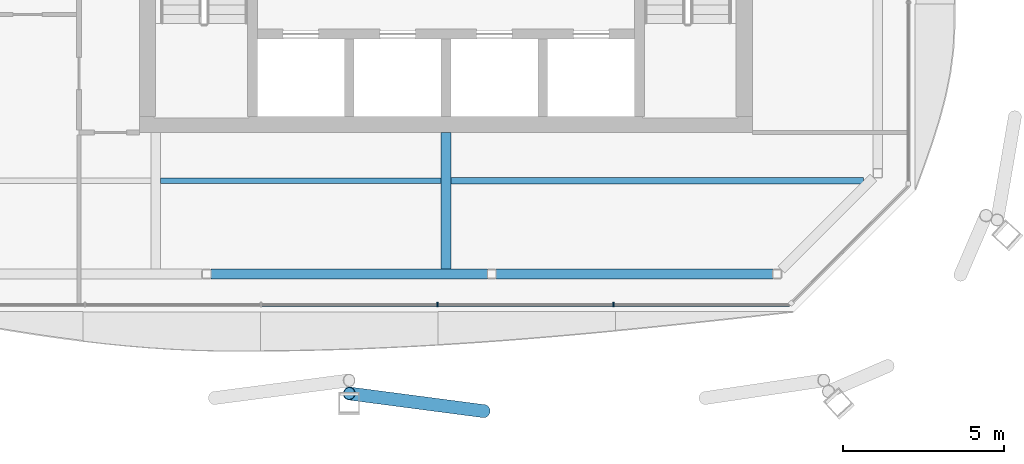
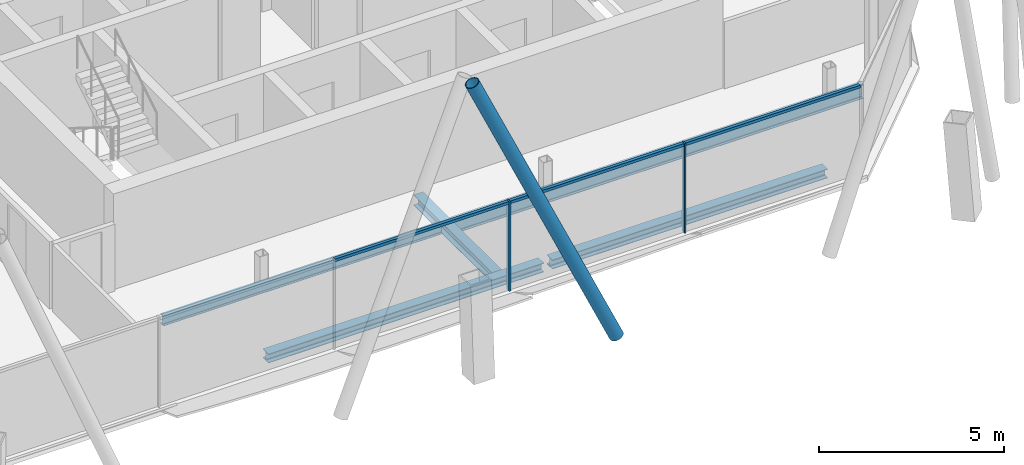
# One storey, part 4 of 16: 6 members, 5 beams, 1 element without a shape of its own.
"""IFC4 building model written with IfcOpenShell, lengths in metres."""

from ifc_helpers import new_model, si_unit, direction, frame, origin, origin_2d, place, context, subcontext, project, spatial, rectangle, hollow_circle, i_section, extrude, material, material_profile, profile_set, type_object, element, aggregate, save


model = new_model("IFC4")

# Units and contexts
model_context = context("Model", 3, precision=1e-05, world=origin(), true_north=direction((0.0, 1.0)))
body_context = subcontext(model_context, "Body", "Model", "MODEL_VIEW")
ifc_project = project(units=[si_unit("LENGTHUNIT", "METRE"), si_unit("AREAUNIT", "SQUARE_METRE"), si_unit("VOLUMEUNIT", "CUBIC_METRE"), si_unit("PLANEANGLEUNIT", "RADIAN"), si_unit("MASSUNIT", "GRAM", prefix="KILO")], contexts=[model_context])

# Site, building, storey
site_placement = place(None, origin())
site = spatial("IfcSite", under=ifc_project, at=site_placement, CompositionType="ELEMENT")
building_placement = place(site_placement, origin())
building = spatial("IfcBuilding", under=site, at=building_placement, Name="Tskaro Facet Tower", CompositionType="ELEMENT")
storey_placement = place(building_placement, frame((0.0, 0.0, 245.550048828125)))
storey = spatial("IfcBuildingStorey", under=building, at=storey_placement, Name="L64", CompositionType="ELEMENT", Elevation=245.550048828125)

# Member
ifc_material_1 = material(Name="Steel S355J2H", Category="steel")
ifc_material_profile_1 = material_profile(ifc_material_1, hollow_circle(Radius=0.203125, WallThickness=0.02001953125, at=origin_2d()), Name="CHS 406.4x20")
ifc_profile_set_1 = profile_set([ifc_material_profile_1], Name="Steel S355J2H")
member_type_1 = type_object("IfcMemberType", Name="CHS 406.4x20 brace", PredefinedType="BRACE", material=ifc_profile_set_1)
member_1_placement = place(storey_placement, frame((1.179931640625, -20.644287109375, 0.0), z_axis=(-0.403949934289, 0.052968144529, 0.913246311929), x_axis=(-0.130012570292, -0.991512345645, 0.0)))
element("IfcMember", 1, at=member_1_placement, inside=storey, type_object=member_type_1, Name="CHS 406.4x20 XB02B/5", PredefinedType="BRACE", context=body_context, shape_type="SweptSolid", body=[
    extrude(hollow_circle(Radius=0.203125, WallThickness=0.02001953125, at=origin_2d()), origin(), (0.0, 0.0, 1.0), 10.34765625),
])

# Curtain wall, members
ifc_material_2 = material(Name="Bronze anodised aluminium 6063-T6", Category="aluminium")
curtain_wall_type = type_object("IfcCurtainWallType", Name="Bronze residence curtain wall (FW3)", PredefinedType="NOTDEFINED", material=ifc_material_2)
curtain_wall_placement = place(storey_placement, origin())
curtain_wall = element("IfcCurtainWall", 2, at=curtain_wall_placement, inside=storey, type_object=curtain_wall_type, Name="FW3 south facet L64", PredefinedType="NOTDEFINED")
ifc_material_profile_2 = material_profile(ifc_material_2, rectangle(XDim=0.050048828125, YDim=0.139892578125, at=origin_2d()), Name="Mullion 50x140")
ifc_profile_set_2 = profile_set([ifc_material_profile_2], Name="Bronze anodised aluminium 6063-T6")
member_type_2 = type_object("IfcMemberType", Name="FW3 bronze mullion 50x140", PredefinedType="MULLION", material=ifc_profile_set_2)
member_2_placement = place(storey_placement, frame((-0.267822265625, -17.341064453125, 0.0), z_axis=(0.0, 0.0, 1.0), x_axis=(1.0, 0.0, 0.0)))
member_2 = element("IfcMember", 3, at=member_2_placement, type_object=member_type_2, Name="FW3 south mullion 3", PredefinedType="MULLION", context=body_context, shape_type="SweptSolid", body=[
    extrude(rectangle(XDim=0.050048828125, YDim=0.139892578125, at=origin_2d()), origin(), (0.0, 0.0, 1.0), 2.949951171875),
])
member_3_placement = place(storey_placement, frame((5.196533203125, -17.341064453125, 0.0), z_axis=(0.0, 0.0, 1.0), x_axis=(1.0, 0.0, 0.0)))
member_3 = element("IfcMember", 4, at=member_3_placement, type_object=member_type_2, Name="FW3 south mullion 4", PredefinedType="MULLION", context=body_context, shape_type="SweptSolid", body=[
    extrude(rectangle(XDim=0.050048828125, YDim=0.139892578125, at=origin_2d()), origin(), (0.0, 0.0, 1.0), 2.949951171875),
])
ifc_material_profile_3 = material_profile(ifc_material_2, rectangle(XDim=0.10009765625, YDim=0.090087890625, at=origin_2d()), Name="Transom 100x90")
ifc_profile_set_3 = profile_set([ifc_material_profile_3], Name="Bronze anodised aluminium 6063-T6")
member_type_3 = type_object("IfcMemberType", Name="FW3 bronze transom 100x90", PredefinedType="USERDEFINED", material=ifc_profile_set_3)
member_4_placement = place(storey_placement, frame((-5.707275390625, -17.341064453125, 2.905029296875), z_axis=(1.0, 0.0, 0.0), x_axis=(0.0, 1.0, 0.0)))
member_4 = element("IfcMember", 5, at=member_4_placement, type_object=member_type_3, Name="FW3 south transom 3.1", ObjectType="TRANSOM", PredefinedType="USERDEFINED", context=body_context, shape_type="SweptSolid", body=[
    extrude(rectangle(XDim=0.10009765625, YDim=0.090087890625, at=origin_2d()), origin(), (0.0, 0.0, 1.0), 5.41455078125),
])
member_5_placement = place(storey_placement, frame((-0.242919921875, -17.341064453125, 2.905029296875), z_axis=(1.0, 0.0, 0.0), x_axis=(0.0, 1.0, 0.0)))
member_5 = element("IfcMember", 6, at=member_5_placement, type_object=member_type_3, Name="FW3 south transom 4.1", ObjectType="TRANSOM", PredefinedType="USERDEFINED", context=body_context, shape_type="SweptSolid", body=[
    extrude(rectangle(XDim=0.10009765625, YDim=0.090087890625, at=origin_2d()), origin(), (0.0, 0.0, 1.0), 5.41455078125),
])
member_6_placement = place(storey_placement, frame((5.2216796875, -17.341064453125, 2.905029296875), z_axis=(1.0, 0.0, 0.0), x_axis=(0.0, 1.0, 0.0)))
member_6 = element("IfcMember", 7, at=member_6_placement, type_object=member_type_3, Name="FW3 south transom 5.1", ObjectType="TRANSOM", PredefinedType="USERDEFINED", context=body_context, shape_type="SweptSolid", body=[
    extrude(rectangle(XDim=0.10009765625, YDim=0.090087890625, at=origin_2d()), origin(), (0.0, 0.0, 1.0), 5.439208984375),
])
aggregate(curtain_wall, [member_2, member_3, member_4, member_5, member_6])

# Beams
ifc_material_3 = material(Name="Steel S355J2", Category="steel")
ifc_material_profile_4 = material_profile(ifc_material_3, i_section(OverallWidth=0.300048828125, OverallDepth=0.300048828125, WebThickness=0.010986328125, FlangeThickness=0.01904296875, FilletRadius=0.027099609375, at=origin_2d()), Name="HE 300 B")
ifc_profile_set_4 = profile_set([ifc_material_profile_4], Name="Steel S355J2")
beam_type_1 = type_object("IfcBeamType", Name="HE 300 B ring beam", PredefinedType="BEAM", material=ifc_profile_set_4)
beam_1_placement = place(storey_placement, frame((-7.29296875, -16.39111328125, -0.2900390625), z_axis=(1.0, 0.0, 0.0), x_axis=(0.0, 1.0, 0.0)))
element("IfcBeam", 8, at=beam_1_placement, inside=storey, type_object=beam_type_1, Name="HE 300 B EB2-5", PredefinedType="BEAM", context=body_context, shape_type="SweptSolid", body=[
    extrude(i_section(OverallWidth=0.300048828125, OverallDepth=0.300048828125, WebThickness=0.010986328125, FlangeThickness=0.01904296875, FilletRadius=0.027099609375, at=origin_2d()), origin(), (0.0, 0.0, 1.0), 8.5859375),
])
beam_2_placement = place(storey_placement, frame((1.552978515625, -16.39111328125, -0.2900390625), z_axis=(1.0, 0.0, 0.0), x_axis=(0.0, 1.0, 0.0)))
element("IfcBeam", 9, at=beam_2_placement, inside=storey, type_object=beam_type_1, Name="HE 300 B EB3-5", PredefinedType="BEAM", context=body_context, shape_type="SweptSolid", body=[
    extrude(i_section(OverallWidth=0.300048828125, OverallDepth=0.300048828125, WebThickness=0.010986328125, FlangeThickness=0.01904296875, FilletRadius=0.027099609375, at=origin_2d()), origin(), (0.0, 0.0, 1.0), 8.5849609375),
])
ifc_material_profile_5 = material_profile(ifc_material_3, i_section(OverallWidth=0.300048828125, OverallDepth=0.35009765625, WebThickness=0.010009765625, FlangeThickness=0.017578125, FilletRadius=0.027099609375, at=origin_2d()), Name="HE 360 A")
ifc_profile_set_5 = profile_set([ifc_material_profile_5], Name="Steel S355J2")
beam_type_2 = type_object("IfcBeamType", Name="HE 360 A girder", PredefinedType="BEAM", material=ifc_profile_set_5)
beam_3_placement = place(storey_placement, frame((0.0, -16.240966796875, -0.31494140625), z_axis=(0.0, 1.0, 0.0), x_axis=(-1.0, 0.0, 0.0)))
element("IfcBeam", 10, at=beam_3_placement, inside=storey, type_object=beam_type_2, Name="HE 360 A GB4-1-5", PredefinedType="BEAM", context=body_context, shape_type="SweptSolid", body=[
    extrude(i_section(OverallWidth=0.300048828125, OverallDepth=0.35009765625, WebThickness=0.010009765625, FlangeThickness=0.017578125, FilletRadius=0.027099609375, at=origin_2d()), origin(), (0.0, 0.0, 1.0), 4.240966796875),
])
ifc_material_profile_6 = material_profile(ifc_material_3, i_section(OverallWidth=0.159912109375, OverallDepth=0.330078125, WebThickness=0.007568359375, FlangeThickness=0.011474609375, FilletRadius=0.01806640625, at=origin_2d()), Name="IPE 330")
ifc_profile_set_6 = profile_set([ifc_material_profile_6], Name="Steel S355J2")
beam_type_3 = type_object("IfcBeamType", Name="IPE 330 secondary beam", PredefinedType="BEAM", material=ifc_profile_set_6)
beam_4_placement = place(storey_placement, frame((-8.85009765625, -13.5, -0.304931640625), z_axis=(1.0, 0.0, 0.0), x_axis=(0.0, 1.0, 0.0)))
element("IfcBeam", 11, at=beam_4_placement, inside=storey, type_object=beam_type_3, Name="IPE 330 SB2a-2-5", PredefinedType="BEAM", context=body_context, shape_type="SweptSolid", body=[
    extrude(i_section(OverallWidth=0.159912109375, OverallDepth=0.330078125, WebThickness=0.007568359375, FlangeThickness=0.011474609375, FilletRadius=0.01806640625, at=origin_2d()), origin(), (0.0, 0.0, 1.0), 8.7001953125),
])
ifc_material_profile_7 = material_profile(ifc_material_3, i_section(OverallWidth=0.18994140625, OverallDepth=0.449951171875, WebThickness=0.009521484375, FlangeThickness=0.0146484375, FilletRadius=0.02099609375, at=origin_2d()), Name="IPE 450")
ifc_profile_set_7 = profile_set([ifc_material_profile_7], Name="Steel S355J2")
beam_type_4 = type_object("IfcBeamType", Name="IPE 450 long secondary beam", PredefinedType="BEAM", material=ifc_profile_set_7)
beam_5_placement = place(storey_placement, frame((0.14990234375, -13.5, -0.364990234375), z_axis=(1.0, 0.0, 0.0), x_axis=(0.0, 1.0, 0.0)))
element("IfcBeam", 12, at=beam_5_placement, inside=storey, type_object=beam_type_4, Name="IPE 450 LSB2a-3-5", PredefinedType="BEAM", context=body_context, shape_type="SweptSolid", body=[
    extrude(i_section(OverallWidth=0.18994140625, OverallDepth=0.449951171875, WebThickness=0.009521484375, FlangeThickness=0.0146484375, FilletRadius=0.02099609375, at=origin_2d()), origin(), (0.0, 0.0, 1.0), 12.797119140625),
])

save(model, "model.ifc")
